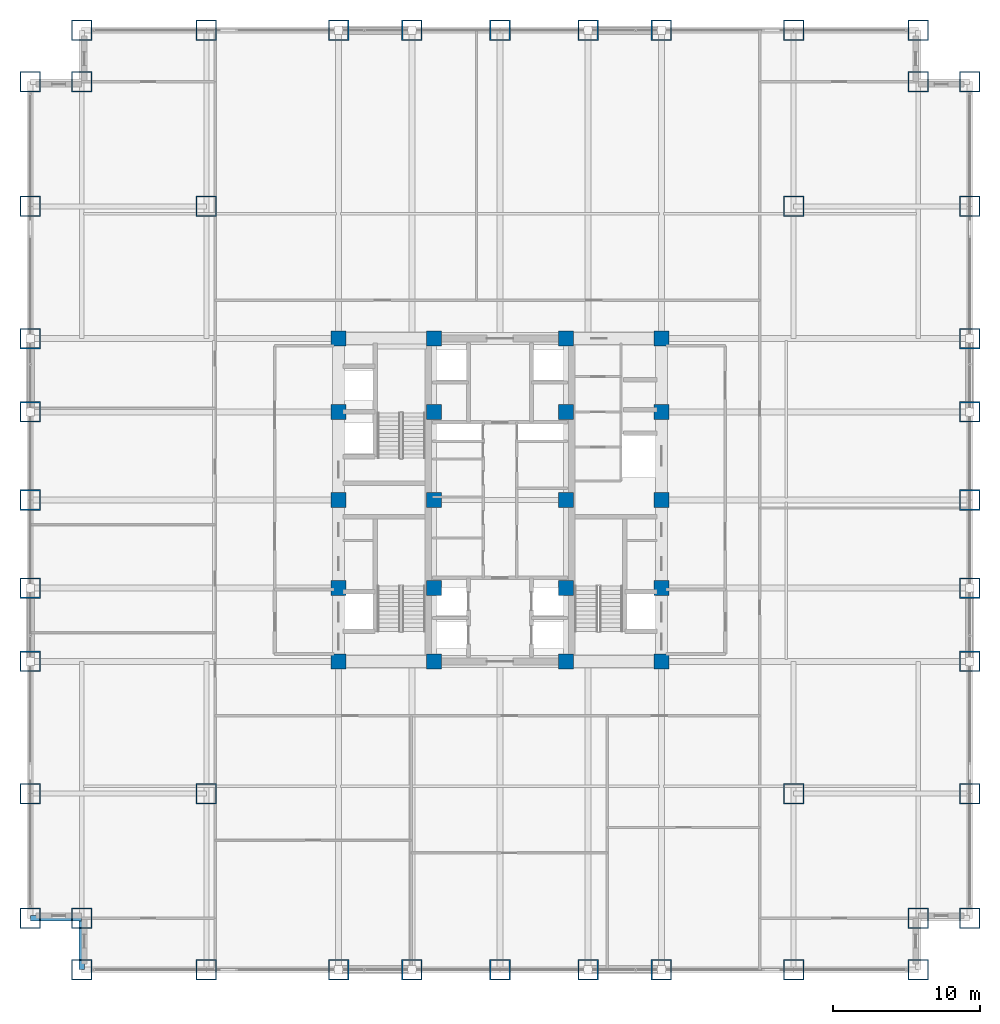
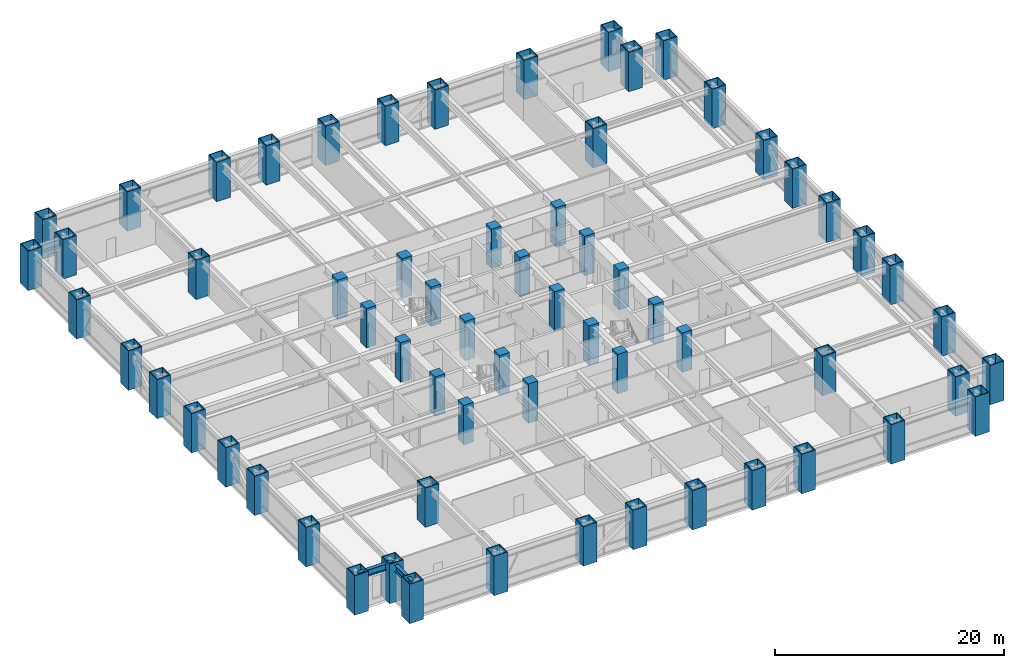
# One storey, part 1 of 28: 64 columns, 2 beams.
"""IFC4 building model written with IfcOpenShell, lengths in metres."""

from ifc_helpers import new_model, si_unit, direction, frame, origin, origin_2d, place, context, subcontext, project, spatial, rectangle, hollow_rectangle, i_section, extrude, source, transform, mapped, material, material_profile, profile_set, type_object, element, save


model = new_model("IFC4")

# Units and contexts
model_context = context("Model", 3, precision=1e-05, world=origin(), true_north=direction((0.0, 1.0)))
body_context = subcontext(model_context, "Body", "Model", "MODEL_VIEW")
ifc_project = project(units=[si_unit("LENGTHUNIT", "METRE"), si_unit("AREAUNIT", "SQUARE_METRE"), si_unit("VOLUMEUNIT", "CUBIC_METRE"), si_unit("PLANEANGLEUNIT", "RADIAN"), si_unit("MASSUNIT", "GRAM", prefix="KILO")], contexts=[model_context])

# Site, building, storey
site_placement = place(None, origin())
site = spatial("IfcSite", under=ifc_project, at=site_placement, CompositionType="ELEMENT")
building_placement = place(site_placement, origin())
building = spatial("IfcBuilding", under=site, at=building_placement, Name="Khorayat Bourse Tower", CompositionType="ELEMENT")
storey_placement = place(building_placement, frame((0.0, 0.0, 66.199951171875)))
storey = spatial("IfcBuildingStorey", under=building, at=storey_placement, Name="L14", CompositionType="ELEMENT", Elevation=66.199951171875)

# Columns
ifc_material_1 = material(Name="Steel EN 10025-4 S460M", Category="steel")
ifc_material_profile_1 = material_profile(ifc_material_1, hollow_rectangle(XDim=1.39990234375, YDim=1.39990234375, WallThickness=0.074951171875, at=origin_2d()), Name="BOX 1400x1400x75")
ifc_profile_set_1 = profile_set([ifc_material_profile_1], Name="Steel EN 10025-4 S460M")
column_type_1 = type_object("IfcColumnType", Name="COL-TUBE-1400", PredefinedType="COLUMN", material=ifc_profile_set_1)
shared_shape_1 = source(origin(), body_context, "Body", "SweptSolid", [
    extrude(hollow_rectangle(XDim=1.39990234375, YDim=1.39990234375, WallThickness=0.074951171875, at=origin_2d()), origin(), (0.0, 0.0, 1.0), 4.199951171875),
])
for number, where, z_axis, x_axis, name in (
    (1, (-32.0, -28.5, 0.0), (0.0, 0.0, 1.0), (1.0, 0.0, 0.0), "L14 Column 001"),
    (2, (-32.0, -20.0, 0.0), (0.0, 0.0, 1.0), (1.0, 0.0, 0.0), "L14 Column 002"),
    (3, (-32.0, -11.0, 0.0), (0.0, 0.0, 1.0), (1.0, 0.0, 0.0), "L14 Column 003"),
    (4, (-32.0, -6.0, 0.0), (0.0, 0.0, 1.0), (1.0, 0.0, 0.0), "L14 Column 004"),
    (5, (-32.0, 0.0, 0.0), (0.0, 0.0, 1.0), (1.0, 0.0, 0.0), "L14 Column 005"),
    (6, (-32.0, 6.0, 0.0), (0.0, 0.0, 1.0), (1.0, 0.0, 0.0), "L14 Column 006"),
    (7, (-32.0, 11.0, 0.0), (0.0, 0.0, 1.0), (1.0, 0.0, 0.0), "L14 Column 007"),
    (8, (-32.0, 20.0, 0.0), (0.0, 0.0, 1.0), (1.0, 0.0, 0.0), "L14 Column 008"),
    (9, (-32.0, 28.5, 0.0), (0.0, 0.0, 1.0), (1.0, 0.0, 0.0), "L14 Column 009"),
    (10, (-28.5, -32.0, 0.0), (0.0, 0.0, 1.0), (1.0, 0.0, 0.0), "L14 Column 010"),
    (11, (-28.5, -28.5, 0.0), (0.0, 0.0, 1.0), (1.0, 0.0, 0.0), "L14 Column 011"),
    (12, (-28.5, 28.5, 0.0), (0.0, 0.0, 1.0), (1.0, 0.0, 0.0), "L14 Column 012"),
    (13, (-28.5, 32.0, 0.0), (0.0, 0.0, 1.0), (1.0, 0.0, 0.0), "L14 Column 013"),
    (14, (-20.0, -32.0, 0.0), (0.0, 0.0, 1.0), (1.0, 0.0, 0.0), "L14 Column 014"),
    (15, (-20.0, -20.0, 0.0), (0.0, 0.0, 1.0), (1.0, 0.0, 0.0), "L14 Column 015"),
    (16, (-20.0, 20.0, 0.0), (0.0, 0.0, 1.0), (1.0, 0.0, 0.0), "L14 Column 016"),
    (17, (-20.0, 32.0, 0.0), (0.0, 0.0, 1.0), (1.0, 0.0, 0.0), "L14 Column 017"),
    (18, (-11.0, -32.0, 0.0), (0.0, 0.0, 1.0), (1.0, 0.0, 0.0), "L14 Column 018"),
    (19, (-11.0, 32.0, 0.0), (0.0, 0.0, 1.0), (1.0, 0.0, 0.0), "L14 Column 024"),
    (20, (-6.0, -32.0, 0.0), (0.0, 0.0, 1.0), (1.0, 0.0, 0.0), "L14 Column 025"),
    (21, (-6.0, 32.0, 0.0), (0.0, 0.0, 1.0), (1.0, 0.0, 0.0), "L14 Column 026"),
    (22, (0.0, -32.0, 0.0), (0.0, 0.0, 1.0), (1.0, 0.0, 0.0), "L14 Column 032"),
    (23, (0.0, 32.0, 0.0), (0.0, 0.0, 1.0), (1.0, 0.0, 0.0), "L14 Column 033"),
    (24, (6.0, -32.0, 0.0), (0.0, 0.0, 1.0), (1.0, 0.0, 0.0), "L14 Column 039"),
    (25, (6.0, 32.0, 0.0), (0.0, 0.0, 1.0), (1.0, 0.0, 0.0), "L14 Column 040"),
    (26, (11.0, -32.0, 0.0), (0.0, 0.0, 1.0), (1.0, 0.0, 0.0), "L14 Column 041"),
    (27, (11.0, 32.0, 0.0), (0.0, 0.0, 1.0), (1.0, 0.0, 0.0), "L14 Column 047"),
    (28, (20.0, -32.0, 0.0), (0.0, 0.0, 1.0), (1.0, 0.0, 0.0), "L14 Column 048"),
    (29, (20.0, -20.0, 0.0), (0.0, 0.0, 1.0), (1.0, 0.0, 0.0), "L14 Column 049"),
    (30, (20.0, 20.0, 0.0), (0.0, 0.0, 1.0), (1.0, 0.0, 0.0), "L14 Column 050"),
    (31, (20.0, 32.0, 0.0), (0.0, 0.0, 1.0), (1.0, 0.0, 0.0), "L14 Column 051"),
    (32, (28.5, -32.0, 0.0), (0.0, 0.0, 1.0), (1.0, 0.0, 0.0), "L14 Column 052"),
    (33, (28.5, -28.5, 0.0), (0.0, 0.0, 1.0), (1.0, 0.0, 0.0), "L14 Column 053"),
    (34, (28.5, 28.5, 0.0), (0.0, 0.0, 1.0), (1.0, 0.0, 0.0), "L14 Column 054"),
    (35, (28.5, 32.0, 0.0), (0.0, 0.0, 1.0), (1.0, 0.0, 0.0), "L14 Column 055"),
    (36, (32.0, -28.5, 0.0), (0.0, 0.0, 1.0), (1.0, 0.0, 0.0), "L14 Column 056"),
    (37, (32.0, -20.0, 0.0), (0.0, 0.0, 1.0), (1.0, 0.0, 0.0), "L14 Column 057"),
    (38, (32.0, -11.0, 0.0), (0.0, 0.0, 1.0), (1.0, 0.0, 0.0), "L14 Column 058"),
    (39, (32.0, -6.0, 0.0), (0.0, 0.0, 1.0), (1.0, 0.0, 0.0), "L14 Column 059"),
    (40, (32.0, 0.0, 0.0), (0.0, 0.0, 1.0), (1.0, 0.0, 0.0), "L14 Column 060"),
    (41, (32.0, 6.0, 0.0), (0.0, 0.0, 1.0), (1.0, 0.0, 0.0), "L14 Column 061"),
    (42, (32.0, 11.0, 0.0), (0.0, 0.0, 1.0), (1.0, 0.0, 0.0), "L14 Column 062"),
    (43, (32.0, 20.0, 0.0), (0.0, 0.0, 1.0), (1.0, 0.0, 0.0), "L14 Column 063"),
    (44, (32.0, 28.5, 0.0), (0.0, 0.0, 1.0), (1.0, 0.0, 0.0), "L14 Column 064"),
):
    element("IfcColumn", number, at=place(storey_placement, frame(where, z_axis=z_axis, x_axis=x_axis)), inside=storey, type_object=column_type_1, Name=name, PredefinedType="COLUMN", context=body_context, shape_type="MappedRepresentation", body=[
        mapped(shared_shape_1, transform((0.0, 0.0, 0.0), scale=1.0)),
    ])
ifc_material_2 = material(Name="Concrete C72/90", Category="concrete")
ifc_material_profile_2 = material_profile(ifc_material_2, rectangle(XDim=1.0, YDim=1.0, at=origin_2d()), Name="RC 1000x1000")
ifc_profile_set_2 = profile_set([ifc_material_profile_2], Name="Concrete C72/90")
column_type_2 = type_object("IfcColumnType", Name="COL-CORE-1000", PredefinedType="COLUMN", material=ifc_profile_set_2)
shared_shape_2 = source(origin(), body_context, "Body", "SweptSolid", [
    extrude(rectangle(XDim=1.0, YDim=1.0, at=origin_2d()), origin(), (0.0, 0.0, 1.0), 4.199951171875),
])
for number, where, z_axis, x_axis, name in (
    (45, (-11.0, -11.0, 0.0), (0.0, 0.0, 1.0), (1.0, 0.0, 0.0), "L14 Column 019"),
    (46, (-11.0, -6.0, 0.0), (0.0, 0.0, 1.0), (1.0, 0.0, 0.0), "L14 Column 020"),
    (47, (-11.0, 0.0, 0.0), (0.0, 0.0, 1.0), (1.0, 0.0, 0.0), "L14 Column 021"),
    (48, (-11.0, 6.0, 0.0), (0.0, 0.0, 1.0), (1.0, 0.0, 0.0), "L14 Column 022"),
    (49, (-11.0, 11.0, 0.0), (0.0, 0.0, 1.0), (1.0, 0.0, 0.0), "L14 Column 023"),
    (50, (-4.5, -11.0, 0.0), (0.0, 0.0, 1.0), (1.0, 0.0, 0.0), "L14 Column 027"),
    (51, (-4.5, -6.0, 0.0), (0.0, 0.0, 1.0), (1.0, 0.0, 0.0), "L14 Column 028"),
    (52, (-4.5, 0.0, 0.0), (0.0, 0.0, 1.0), (1.0, 0.0, 0.0), "L14 Column 029"),
    (53, (-4.5, 6.0, 0.0), (0.0, 0.0, 1.0), (1.0, 0.0, 0.0), "L14 Column 030"),
    (54, (-4.5, 11.0, 0.0), (0.0, 0.0, 1.0), (1.0, 0.0, 0.0), "L14 Column 031"),
    (55, (4.5, -11.0, 0.0), (0.0, 0.0, 1.0), (1.0, 0.0, 0.0), "L14 Column 034"),
    (56, (4.5, -6.0, 0.0), (0.0, 0.0, 1.0), (1.0, 0.0, 0.0), "L14 Column 035"),
    (57, (4.5, 0.0, 0.0), (0.0, 0.0, 1.0), (1.0, 0.0, 0.0), "L14 Column 036"),
    (58, (4.5, 6.0, 0.0), (0.0, 0.0, 1.0), (1.0, 0.0, 0.0), "L14 Column 037"),
    (59, (4.5, 11.0, 0.0), (0.0, 0.0, 1.0), (1.0, 0.0, 0.0), "L14 Column 038"),
    (60, (11.0, -11.0, 0.0), (0.0, 0.0, 1.0), (1.0, 0.0, 0.0), "L14 Column 042"),
    (61, (11.0, -6.0, 0.0), (0.0, 0.0, 1.0), (1.0, 0.0, 0.0), "L14 Column 043"),
    (62, (11.0, 0.0, 0.0), (0.0, 0.0, 1.0), (1.0, 0.0, 0.0), "L14 Column 044"),
    (63, (11.0, 6.0, 0.0), (0.0, 0.0, 1.0), (1.0, 0.0, 0.0), "L14 Column 045"),
    (64, (11.0, 11.0, 0.0), (0.0, 0.0, 1.0), (1.0, 0.0, 0.0), "L14 Column 046"),
):
    element("IfcColumn", number, at=place(storey_placement, frame(where, z_axis=z_axis, x_axis=x_axis)), inside=storey, type_object=column_type_2, Name=name, PredefinedType="COLUMN", context=body_context, shape_type="MappedRepresentation", body=[
        mapped(shared_shape_2, transform((0.0, 0.0, 0.0), scale=1.0)),
    ])

# Beams
ifc_material_3 = material(Name="Steel ASTM A992 Grade 50", Category="steel")
ifc_material_profile_3 = material_profile(ifc_material_3, i_section(OverallWidth=0.35498046875, OverallDepth=0.695068359375, WebThickness=0.015380859375, FlangeThickness=0.02490234375, FilletRadius=0.01806640625, at=origin_2d()), Name="W690X217")
ifc_profile_set_3 = profile_set([ifc_material_profile_3], Name="Steel ASTM A992 Grade 50")
beam_type = type_object("IfcBeamType", Name="BM-SPAN-690", PredefinedType="SPANDREL", material=ifc_profile_set_3)
shared_shape_3 = source(origin(), body_context, "Body", "SweptSolid", [
    extrude(i_section(OverallWidth=0.35498046875, OverallDepth=0.695068359375, WebThickness=0.015380859375, FlangeThickness=0.02490234375, FilletRadius=0.01806640625, at=origin_2d()), origin(), (0.0, 0.0, 1.0), 3.5),
])
for number, where, z_axis, x_axis, name in (
    (65, (-32.0, -28.5, 3.592529296875), (1.0, 0.0, 0.0), (0.0, 1.0, 0.0), "L14 BM-SPAN-690 BM-L14-SPN-062"),
    (66, (-28.5, -32.0, 3.592529296875), (0.0, 1.0, 0.0), (-1.0, 0.0, 0.0), "L14 BM-SPAN-690 BM-L14-SPN-063"),
):
    element("IfcBeam", number, at=place(storey_placement, frame(where, z_axis=z_axis, x_axis=x_axis)), inside=storey, type_object=beam_type, Name=name, PredefinedType="SPANDREL", context=body_context, shape_type="MappedRepresentation", body=[
        mapped(shared_shape_3, transform((0.0, 0.0, 0.0), scale=1.0)),
    ])

save(model, "model.ifc")
